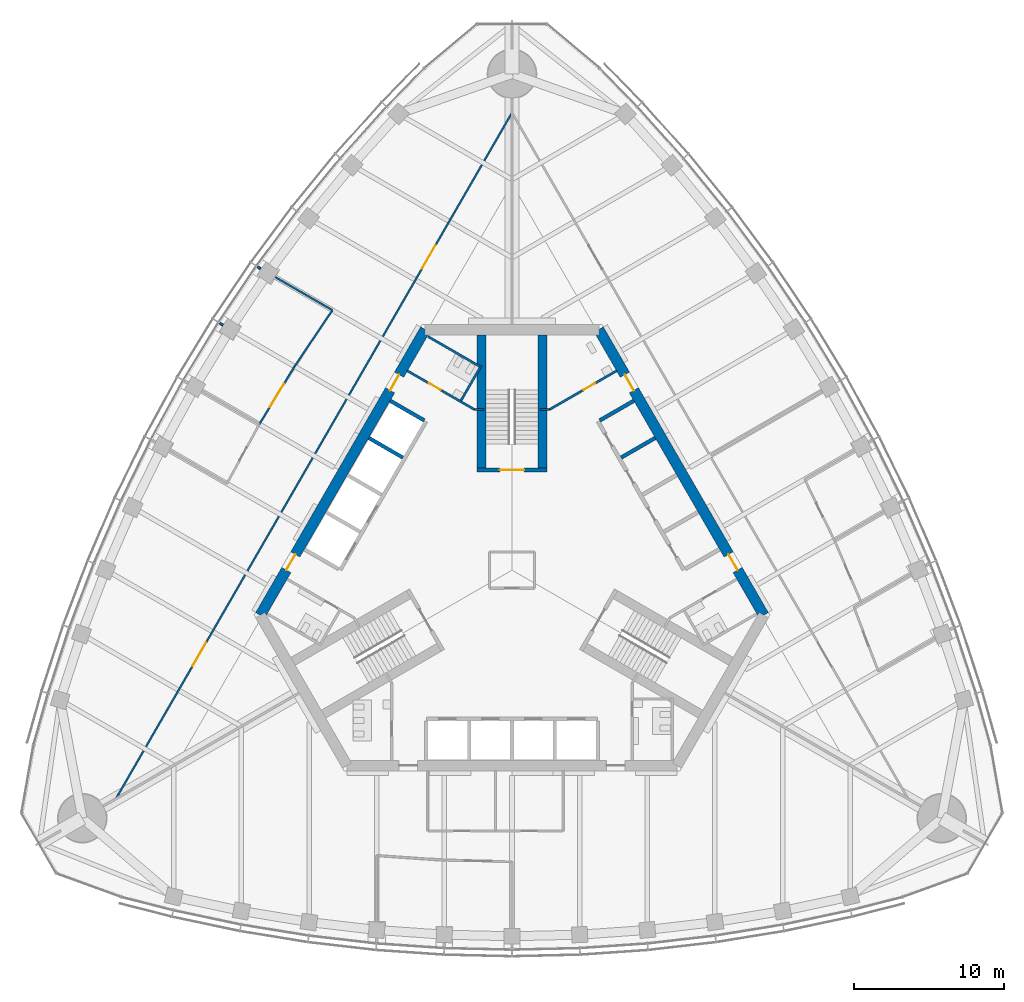
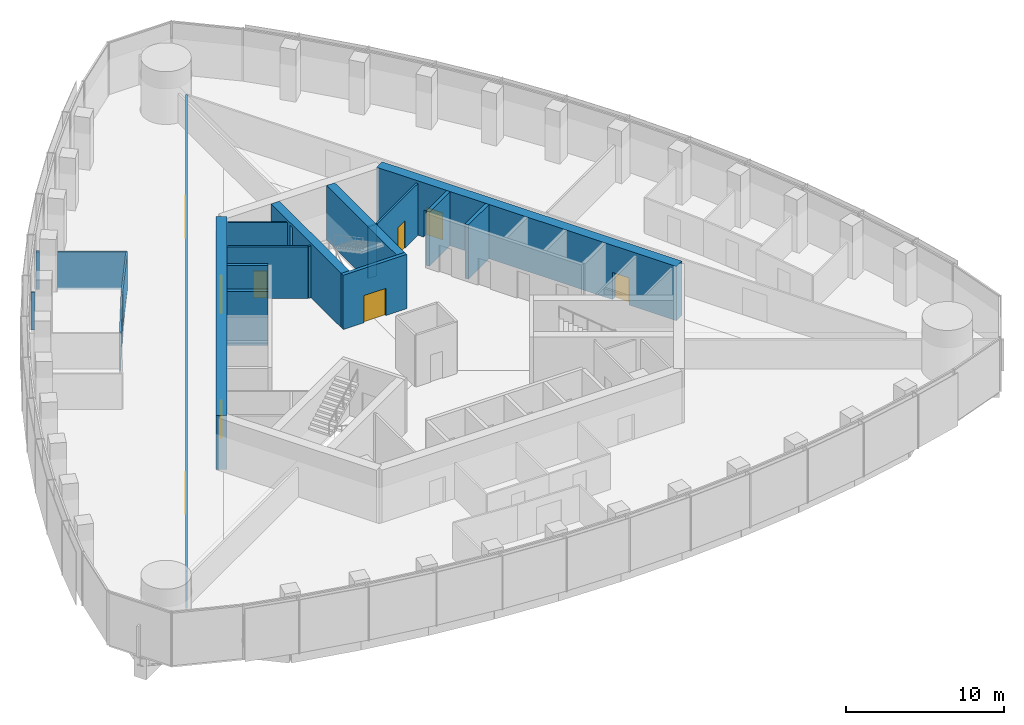
# One storey, part 13 of 19: 21 walls, 10 doors, 10 openings.
"""IFC4 building model written with IfcOpenShell, lengths in metres."""

from ifc_helpers import new_model, si_unit, direction, frame, frame_2d, origin, place, context, subcontext, project, spatial, rectangle, extrude, material, layer, layer_set, type_object, element, fill, save


model = new_model("IFC4")

# Units and contexts
model_context = context("Model", 3, precision=1e-05, world=origin(), true_north=direction((0.0, 1.0)))
body_context = subcontext(model_context, "Body", "Model", "MODEL_VIEW")
ifc_project = project(units=[si_unit("LENGTHUNIT", "METRE"), si_unit("AREAUNIT", "SQUARE_METRE"), si_unit("VOLUMEUNIT", "CUBIC_METRE"), si_unit("PLANEANGLEUNIT", "RADIAN"), si_unit("MASSUNIT", "GRAM", prefix="KILO")], contexts=[model_context])

# Site, building, storey
site_placement = place(None, origin())
site = spatial("IfcSite", under=ifc_project, at=site_placement, CompositionType="ELEMENT")
building_placement = place(site_placement, origin())
building = spatial("IfcBuilding", under=site, at=building_placement, Name="Trefoil Bronze Tower", CompositionType="ELEMENT")
storey_placement = place(building_placement, frame((0.0, 0.0, 240.10009765625)))
storey = spatial("IfcBuildingStorey", under=building, at=storey_placement, Name="L55", CompositionType="ELEMENT", Elevation=240.10009765625)

# Wall, openings, doors
ifc_material_1 = material(Name="Concrete B80", Category="concrete")
ifc_layer_1 = layer(ifc_material_1, 0.699951171875)
ifc_layer_set_1 = layer_set([ifc_layer_1], Name="Core wall 700")
wall_type_1 = type_object("IfcWallType", Name="Core wall 700", PredefinedType="SHEAR", material=ifc_layer_set_1)
wall_1_placement = place(storey_placement, frame((16.7431640625, -3.0, 0.0), z_axis=(0.0, 0.0, 1.0), x_axis=(-0.500002442456, 0.866023993627, 0.0)))
wall_1 = element("IfcWall", 1, at=wall_1_placement, inside=storey, type_object=wall_type_1, Name="Core long wall 2 L55", PredefinedType="SHEAR", context=body_context, shape_type="SweptSolid", body=[
    extrude(rectangle(XDim=21.939453125, YDim=0.699951171875, at=frame_2d((10.9697265625, 0.0))), origin(), (0.0, 0.0, 1.0), 4.199951171875),
])
opening_1_placement = place(wall_1_placement, frame((17.269775390625, 0.0, 0.0)))
opening_1 = element("IfcOpeningElement", 2, at=opening_1_placement, cuts=wall_1, Name="Opening D2", PredefinedType="OPENING", context=body_context, shape_type="SweptSolid", body=[
    extrude(rectangle(XDim=1.199951171875, YDim=2.10009765625, at=frame_2d((0.60009765625, 1.050048828125))), frame((0.0, 0.35986328125, 0.0), z_axis=(0.0, -1.0, 0.0), x_axis=(1.0, 0.0, 0.0)), (0.0, 0.0, 1.0), 0.719970703125),
])
opening_2_placement = place(wall_1_placement, frame((3.4697265625, 0.0, 0.0)))
opening_2 = element("IfcOpeningElement", 3, at=opening_2_placement, cuts=wall_1, Name="Opening D2", PredefinedType="OPENING", context=body_context, shape_type="SweptSolid", body=[
    extrude(rectangle(XDim=1.199951171875, YDim=2.10009765625, at=frame_2d((0.60009765625, 1.050048828125))), frame((0.0, 0.35986328125, 0.0), z_axis=(0.0, -1.0, 0.0), x_axis=(1.0, 0.0, 0.0)), (0.0, 0.0, 1.0), 0.719970703125),
])
ifc_material_2 = material(Name="Steel door", Category="steel")
door_type_1 = type_object("IfcDoorType", Name="Lobby door 1200", OperationType="SINGLE_SWING_RIGHT", PredefinedType="DOOR", material=ifc_material_2)
door_1_placement = place(opening_1_placement, origin())
door_1 = element("IfcDoor", 4, at=door_1_placement, inside=storey, type_object=door_type_1, Name="Lobby door F2+ L55", OperationType="SINGLE_SWING_RIGHT", OverallHeight=2.10009765625, OverallWidth=1.199951171875, PredefinedType="DOOR", context=body_context, shape_type="SweptSolid", body=[
    extrude(rectangle(XDim=1.199951171875, YDim=2.10009765625, at=frame_2d((0.60009765625, 1.050048828125))), frame((0.0, 0.02490234375, 0.0), z_axis=(0.0, -1.0, 0.0), x_axis=(1.0, 0.0, 0.0)), (0.0, 0.0, 1.0), 0.050048828125),
])
fill(opening_1, door_1)
door_2_placement = place(opening_2_placement, origin())
door_2 = element("IfcDoor", 5, at=door_2_placement, inside=storey, type_object=door_type_1, Name="Lobby door F2- L55", OperationType="SINGLE_SWING_LEFT", OverallHeight=2.10009765625, OverallWidth=1.199951171875, PredefinedType="DOOR", context=body_context, shape_type="SweptSolid", body=[
    extrude(rectangle(XDim=1.199951171875, YDim=2.10009765625, at=frame_2d((0.60009765625, 1.050048828125))), frame((0.0, 0.02490234375, 0.0), z_axis=(0.0, -1.0, 0.0), x_axis=(1.0, 0.0, 0.0)), (0.0, 0.0, 1.0), 0.050048828125),
])
fill(opening_2, door_2)

wall_2_placement = place(storey_placement, frame((-5.7734375, 16.0, 0.0), z_axis=(0.0, 0.0, 1.0), x_axis=(-0.500002442456, -0.866023993627, 0.0)))
wall_2 = element("IfcWall", 6, at=wall_2_placement, inside=storey, type_object=wall_type_1, Name="Core long wall 3 L55", PredefinedType="SHEAR", context=body_context, shape_type="SweptSolid", body=[
    extrude(rectangle(XDim=21.939453125, YDim=0.699951171875, at=frame_2d((10.9697265625, 0.0))), origin(), (0.0, 0.0, 1.0), 4.199951171875),
])
opening_3_placement = place(wall_2_placement, frame((17.269775390625, 0.0, 0.0)))
opening_3 = element("IfcOpeningElement", 7, at=opening_3_placement, cuts=wall_2, Name="Opening D2", PredefinedType="OPENING", context=body_context, shape_type="SweptSolid", body=[
    extrude(rectangle(XDim=1.199951171875, YDim=2.10009765625, at=frame_2d((0.60009765625, 1.050048828125))), frame((0.0, 0.35986328125, 0.0), z_axis=(0.0, -1.0, 0.0), x_axis=(1.0, 0.0, 0.0)), (0.0, 0.0, 1.0), 0.719970703125),
])
opening_4_placement = place(wall_2_placement, frame((3.4697265625, 0.0, 0.0)))
opening_4 = element("IfcOpeningElement", 8, at=opening_4_placement, cuts=wall_2, Name="Opening D2", PredefinedType="OPENING", context=body_context, shape_type="SweptSolid", body=[
    extrude(rectangle(XDim=1.199951171875, YDim=2.10009765625, at=frame_2d((0.60009765625, 1.050048828125))), frame((0.0, 0.35986328125, 0.0), z_axis=(0.0, -1.0, 0.0), x_axis=(1.0, 0.0, 0.0)), (0.0, 0.0, 1.0), 0.719970703125),
])
door_3_placement = place(opening_3_placement, origin())
door_3 = element("IfcDoor", 9, at=door_3_placement, inside=storey, type_object=door_type_1, Name="Lobby door F3+ L55", OperationType="SINGLE_SWING_RIGHT", OverallHeight=2.10009765625, OverallWidth=1.199951171875, PredefinedType="DOOR", context=body_context, shape_type="SweptSolid", body=[
    extrude(rectangle(XDim=1.199951171875, YDim=2.10009765625, at=frame_2d((0.60009765625, 1.050048828125))), frame((0.0, 0.02490234375, 0.0), z_axis=(0.0, -1.0, 0.0), x_axis=(1.0, 0.0, 0.0)), (0.0, 0.0, 1.0), 0.050048828125),
])
fill(opening_3, door_3)
door_4_placement = place(opening_4_placement, origin())
door_4 = element("IfcDoor", 10, at=door_4_placement, inside=storey, type_object=door_type_1, Name="Lobby door F3- L55", OperationType="SINGLE_SWING_LEFT", OverallHeight=2.10009765625, OverallWidth=1.199951171875, PredefinedType="DOOR", context=body_context, shape_type="SweptSolid", body=[
    extrude(rectangle(XDim=1.199951171875, YDim=2.10009765625, at=frame_2d((0.60009765625, 1.050048828125))), frame((0.0, 0.02490234375, 0.0), z_axis=(0.0, -1.0, 0.0), x_axis=(1.0, 0.0, 0.0)), (0.0, 0.0, 1.0), 0.050048828125),
])
fill(opening_4, door_4)

ifc_material_3 = material(Name="Glazed partition", Category="glass")
ifc_layer_2 = layer(ifc_material_3, 0.1201171875)
ifc_layer_set_2 = layer_set([ifc_layer_2], Name="Glazed partition 120")
wall_type_2 = type_object("IfcWallType", Name="Glazed partition 120", PredefinedType="PARTITIONING", material=ifc_layer_set_2)
wall_3_placement = place(storey_placement, frame((-0.016357421875, 30.3916015625, 0.0), z_axis=(0.0, 0.0, 1.0), x_axis=(-0.500000626146, -0.866025042278, 0.0)))
wall_3 = element("IfcWall", 11, at=wall_3_placement, inside=storey, type_object=wall_type_2, Name="Partition F3 L55", PredefinedType="PARTITIONING", context=body_context, shape_type="SweptSolid", body=[
    extrude(rectangle(XDim=52.62353515625, YDim=0.1201171875, at=frame_2d((26.311767578125, 0.0))), origin(), (0.0, 0.0, 1.0), 2.89990234375),
])
opening_5_placement = place(wall_3_placement, frame((10.14990234375, 0.0, 0.14990234375)))
opening_5 = element("IfcOpeningElement", 12, at=opening_5_placement, cuts=wall_3, Name="Opening D10", PredefinedType="OPENING", context=body_context, shape_type="SweptSolid", body=[
    extrude(rectangle(XDim=1.800048828125, YDim=2.10009765625, at=frame_2d((0.89990234375, 1.050048828125))), frame((0.0, 0.070068359375, 0.0), z_axis=(0.0, -1.0, 0.0), x_axis=(1.0, 0.0, 0.0)), (0.0, 0.0, 1.0), 0.14013671875),
])
opening_6_placement = place(wall_3_placement, frame((40.64990234375, 0.0, 0.14990234375)))
opening_6 = element("IfcOpeningElement", 13, at=opening_6_placement, cuts=wall_3, Name="Opening D10", PredefinedType="OPENING", context=body_context, shape_type="SweptSolid", body=[
    extrude(rectangle(XDim=1.800048828125, YDim=2.10009765625, at=frame_2d((0.89990234375, 1.050048828125))), frame((0.0, 0.070068359375, 0.0), z_axis=(0.0, -1.0, 0.0), x_axis=(1.0, 0.0, 0.0)), (0.0, 0.0, 1.0), 0.14013671875),
])
ifc_material_4 = material(Name="Timber door", Category="wood")
door_type_2 = type_object("IfcDoorType", Name="Double door 1800", OperationType="DOUBLE_DOOR_SINGLE_SWING", PredefinedType="DOOR", material=ifc_material_4)
door_5_placement = place(opening_5_placement, origin())
door_5 = element("IfcDoor", 14, at=door_5_placement, inside=storey, type_object=door_type_2, Name="Corridor door F3 L55", OperationType="DOUBLE_DOOR_SINGLE_SWING", OverallHeight=2.10009765625, OverallWidth=1.800048828125, PredefinedType="DOOR", context=body_context, shape_type="SweptSolid", body=[
    extrude(rectangle(XDim=1.800048828125, YDim=2.10009765625, at=frame_2d((0.89990234375, 1.050048828125))), frame((0.0, 0.02490234375, 0.0), z_axis=(0.0, -1.0, 0.0), x_axis=(1.0, 0.0, 0.0)), (0.0, 0.0, 1.0), 0.050048828125),
])
fill(opening_5, door_5)
door_6_placement = place(opening_6_placement, origin())
door_6 = element("IfcDoor", 15, at=door_6_placement, inside=storey, type_object=door_type_2, Name="Corridor door F3 L55", OperationType="DOUBLE_DOOR_SINGLE_SWING", OverallHeight=2.10009765625, OverallWidth=1.800048828125, PredefinedType="DOOR", context=body_context, shape_type="SweptSolid", body=[
    extrude(rectangle(XDim=1.800048828125, YDim=2.10009765625, at=frame_2d((0.89990234375, 1.050048828125))), frame((0.0, 0.02490234375, 0.0), z_axis=(0.0, -1.0, 0.0), x_axis=(1.0, 0.0, 0.0)), (0.0, 0.0, 1.0), 0.050048828125),
])
fill(opening_6, door_6)

# Wall, opening, door
wall_4_placement = place(storey_placement, frame((-14.4619140625, 13.545654296875, 0.0), z_axis=(0.0, 0.0, 1.0), x_axis=(-0.519790350351, -0.85429385558, 0.0)))
wall_4 = element("IfcWall", 16, at=wall_4_placement, inside=storey, type_object=wall_type_2, Name="Partition F3 L55", PredefinedType="PARTITIONING", context=body_context, shape_type="SweptSolid", body=[
    extrude(rectangle(XDim=4.5009765625, YDim=0.1201171875, at=frame_2d((2.25048828125, 0.0))), origin(), (0.0, 0.0, 1.0), 2.89990234375),
])
opening_7_placement = place(wall_4_placement, frame((1.35009765625, 0.0, 0.14990234375)))
opening_7 = element("IfcOpeningElement", 17, at=opening_7_placement, cuts=wall_4, Name="Opening D10", PredefinedType="OPENING", context=body_context, shape_type="SweptSolid", body=[
    extrude(rectangle(XDim=1.800048828125, YDim=2.10009765625, at=frame_2d((0.89990234375, 1.050048828125))), frame((0.0, 0.070068359375, 0.0), z_axis=(0.0, -1.0, 0.0), x_axis=(1.0, 0.0, 0.0)), (0.0, 0.0, 1.0), 0.14013671875),
])
door_7_placement = place(opening_7_placement, frame((1.800048828125, 0.0, 0.0), z_axis=(0.0, 0.0, 1.0), x_axis=(-1.0, 0.0, 0.0)))
door_7 = element("IfcDoor", 18, at=door_7_placement, inside=storey, type_object=door_type_2, Name="Prototyping room door F3 L55", OperationType="DOUBLE_DOOR_SINGLE_SWING", OverallHeight=2.10009765625, OverallWidth=1.800048828125, PredefinedType="DOOR", context=body_context, shape_type="SweptSolid", body=[
    extrude(rectangle(XDim=1.800048828125, YDim=2.10009765625, at=frame_2d((0.89990234375, 1.050048828125))), frame((0.0, 0.02490234375, 0.0), z_axis=(0.0, -1.0, 0.0), x_axis=(1.0, 0.0, 0.0)), (0.0, 0.0, 1.0), 0.050048828125),
])
fill(opening_7, door_7)

# Walls
wall_5_placement = place(storey_placement, frame((-11.942626953125, 17.287353515625, 0.0), z_axis=(0.0, 0.0, 1.0), x_axis=(-0.55850386778, -0.829501916619, 0.0)))
element("IfcWall", 19, at=wall_5_placement, inside=storey, type_object=wall_type_2, Name="Partition F3 L55", PredefinedType="PARTITIONING", context=body_context, shape_type="SweptSolid", body=[
    extrude(rectangle(XDim=4.5107421875, YDim=0.1201171875, at=frame_2d((2.25537109375, 0.0))), origin(), (0.0, 0.0, 1.0), 2.89990234375),
])
wall_6_placement = place(storey_placement, frame((-11.942626953125, 17.287353515625, 0.0), z_axis=(0.0, 0.0, 1.0), x_axis=(-0.86600959659, 0.500027377864, 0.0)))
element("IfcWall", 20, at=wall_6_placement, inside=storey, type_object=wall_type_2, Name="Partition F3 L55", PredefinedType="PARTITIONING", context=body_context, shape_type="SweptSolid", body=[
    extrude(rectangle(XDim=4.389404296875, YDim=0.1201171875, at=frame_2d((2.19482421875, 0.0))), origin(), (0.0, 0.0, 1.0), 2.89990234375),
])

# Wall, opening, door
ifc_material_5 = material(Name="Gypsum board on steel studs", Category="steel")
ifc_layer_3 = layer(ifc_material_5, 0.14990234375)
ifc_layer_set_3 = layer_set([ifc_layer_3], Name="Partition 150")
wall_type_3 = type_object("IfcWallType", Name="Partition 150", PredefinedType="PARTITIONING", material=ifc_layer_set_3)
wall_7_placement = place(storey_placement, frame((2.4951171875, 10.67822265625, 0.0), z_axis=(0.0, 0.0, 1.0), x_axis=(0.866037967349, 0.499978238636, 0.0)))
wall_7 = element("IfcWall", 21, at=wall_7_placement, inside=storey, type_object=wall_type_3, Name="Passage wall F2+ L55", PredefinedType="PARTITIONING", context=body_context, shape_type="SweptSolid", body=[
    extrude(rectangle(XDim=5.150146484375, YDim=0.14990234375, at=frame_2d((2.5751953125, 0.0))), origin(), (0.0, 0.0, 1.0), 4.0),
])
opening_8_placement = place(wall_7_placement, frame((2.60009765625, 0.0, 0.0)))
opening_8 = element("IfcOpeningElement", 22, at=opening_8_placement, cuts=wall_7, Name="Opening D3", PredefinedType="OPENING", context=body_context, shape_type="SweptSolid", body=[
    extrude(rectangle(XDim=0.89990234375, YDim=2.10009765625, at=frame_2d((0.449951171875, 1.050048828125))), frame((0.0, 0.0849609375, 0.0), z_axis=(0.0, -1.0, 0.0), x_axis=(1.0, 0.0, 0.0)), (0.0, 0.0, 1.0), 0.169921875),
])
ifc_material_6 = material(Name="Timber door", Category="wood")
door_type_3 = type_object("IfcDoorType", Name="WC door 900", OperationType="SINGLE_SWING_LEFT", PredefinedType="DOOR", material=ifc_material_6)
door_8_placement = place(opening_8_placement, origin())
door_8 = element("IfcDoor", 23, at=door_8_placement, inside=storey, type_object=door_type_3, Name="Accessible WC door L55", OperationType="SINGLE_SWING_RIGHT", OverallHeight=2.10009765625, OverallWidth=0.89990234375, PredefinedType="DOOR", context=body_context, shape_type="SweptSolid", body=[
    extrude(rectangle(XDim=0.89990234375, YDim=2.10009765625, at=frame_2d((0.449951171875, 1.050048828125))), frame((0.0, 0.02490234375, 0.0), z_axis=(0.0, -1.0, 0.0), x_axis=(1.0, 0.0, 0.0)), (0.0, 0.0, 1.0), 0.050048828125),
])
fill(opening_8, door_8)

wall_8_placement = place(storey_placement, frame((-2.4951171875, 10.67822265625, 0.0), z_axis=(0.0, 0.0, 1.0), x_axis=(-0.866037967349, 0.499978238636, 0.0)))
wall_8 = element("IfcWall", 24, at=wall_8_placement, inside=storey, type_object=wall_type_3, Name="Passage wall F3- L55", PredefinedType="PARTITIONING", context=body_context, shape_type="SweptSolid", body=[
    extrude(rectangle(XDim=5.150146484375, YDim=0.14990234375, at=frame_2d((2.5751953125, 0.0))), origin(), (0.0, 0.0, 1.0), 4.0),
])
opening_9_placement = place(wall_8_placement, frame((2.60009765625, 0.0, 0.0)))
opening_9 = element("IfcOpeningElement", 25, at=opening_9_placement, cuts=wall_8, Name="Opening D3", PredefinedType="OPENING", context=body_context, shape_type="SweptSolid", body=[
    extrude(rectangle(XDim=0.89990234375, YDim=2.10009765625, at=frame_2d((0.449951171875, 1.050048828125))), frame((0.0, 0.0849609375, 0.0), z_axis=(0.0, -1.0, 0.0), x_axis=(1.0, 0.0, 0.0)), (0.0, 0.0, 1.0), 0.169921875),
])
door_9_placement = place(opening_9_placement, frame((0.89990234375, 0.0, 0.0), z_axis=(0.0, 0.0, 1.0), x_axis=(-1.0, 0.0, 0.0)))
door_9 = element("IfcDoor", 26, at=door_9_placement, inside=storey, type_object=door_type_3, Name="WC (women) door L55", OperationType="SINGLE_SWING_RIGHT", OverallHeight=2.10009765625, OverallWidth=0.89990234375, PredefinedType="DOOR", context=body_context, shape_type="SweptSolid", body=[
    extrude(rectangle(XDim=0.89990234375, YDim=2.10009765625, at=frame_2d((0.449951171875, 1.050048828125))), frame((0.0, 0.02490234375, 0.0), z_axis=(0.0, -1.0, 0.0), x_axis=(1.0, 0.0, 0.0)), (0.0, 0.0, 1.0), 0.050048828125),
])
fill(opening_9, door_9)

# Walls
for number, where, z_axis, x_axis, name in (
    (27, (2.4951171875, 10.67822265625, 0.0), (0.0, 0.0, 1.0), (-1.0, 0.0, 0.0), "WC wall ST2-1 L55"),
    (28, (-2.4951171875, 10.67822265625, 0.0), (0.0, 0.0, 1.0), (1.0, 0.0, 0.0), "WC wall ST2+1 L55"),
):
    element("IfcWall", number, at=place(storey_placement, frame(where, z_axis=z_axis, x_axis=x_axis)), inside=storey, type_object=wall_type_3, Name=name, PredefinedType="PARTITIONING", context=body_context, shape_type="SweptSolid", body=[
        extrude(rectangle(XDim=0.64501953125, YDim=0.14990234375, at=frame_2d((0.322509765625, 0.0))), origin(), (0.0, 0.0, 1.0), 4.0),
    ])
wall_9_placement = place(storey_placement, frame((-2.03125, 13.48193359375, 0.0), z_axis=(0.0, 0.0, 1.0), x_axis=(-0.866050731258, 0.499956128963, 0.0)))
element("IfcWall", 29, at=wall_9_placement, inside=storey, type_object=wall_type_3, Name="WC partition WC (women) L55", PredefinedType="PARTITIONING", context=body_context, shape_type="SweptSolid", body=[
    extrude(rectangle(XDim=4.099853515625, YDim=0.14990234375, at=frame_2d((2.0498046875, 0.0))), origin(), (0.0, 0.0, 1.0), 4.0),
])
wall_10_placement = place(storey_placement, frame((-3.388671875, 11.28076171875, 0.0), z_axis=(0.0, 0.0, 1.0), x_axis=(0.499989096993, 0.866031698547, 0.0)))
element("IfcWall", 30, at=wall_10_placement, inside=storey, type_object=wall_type_3, Name="WC partition WC (women) L55", PredefinedType="PARTITIONING", context=body_context, shape_type="SweptSolid", body=[
    extrude(rectangle(XDim=2.509765625, YDim=0.14990234375, at=frame_2d((1.2548828125, 0.0))), origin(), (0.0, 0.0, 1.0), 4.0),
])
wall_11_placement = place(storey_placement, frame((-19.2265625, 16.296630859375, 0.0), z_axis=(0.0, 0.0, 1.0), x_axis=(-0.866135455726, 0.499809335981, 0.0)))
element("IfcWall", 31, at=wall_11_placement, inside=storey, type_object=wall_type_3, Name="Partition F3 L55", PredefinedType="PARTITIONING", context=body_context, shape_type="SweptSolid", body=[
    extrude(rectangle(XDim=0.2431640625, YDim=0.14990234375, at=frame_2d((0.12158203125, 0.0))), origin(), (0.0, 0.0, 1.0), 2.89990234375),
])
wall_12_placement = place(storey_placement, frame((-16.724609375, 20.04833984375, 0.0), z_axis=(0.0, 0.0, 1.0), x_axis=(-0.866149170119, 0.499785569122, 0.0)))
element("IfcWall", 32, at=wall_12_placement, inside=storey, type_object=wall_type_3, Name="Partition F3 L55", PredefinedType="PARTITIONING", context=body_context, shape_type="SweptSolid", body=[
    extrude(rectangle(XDim=0.22314453125, YDim=0.14990234375, at=frame_2d((0.111572265625, 0.0))), origin(), (0.0, 0.0, 1.0), 2.89990234375),
])
ifc_material_7 = material(Name="Concrete B80", Category="concrete")
ifc_layer_4 = layer(ifc_material_7, 0.25)
ifc_layer_set_4 = layer_set([ifc_layer_4], Name="Shaft wall 250")
wall_type_4 = type_object("IfcWallType", Name="Shaft wall 250", PredefinedType="SHEAR", material=ifc_layer_set_4)
for number, where, z_axis, x_axis, name in (
    (33, (7.2568359375, 7.480712890625, 0.0), (0.0, 0.0, 1.0), (0.866036909293, 0.499980071345, 0.0), "Lift shaft side wall B3 L55"),
    (34, (5.831787109375, 9.94873046875, 0.0), (0.0, 0.0, 1.0), (0.866036909293, 0.499980071345, 0.0), "Lift shaft side wall B4 L55"),
    (35, (-5.831787109375, 9.94873046875, 0.0), (0.0, 0.0, 1.0), (-0.866036909293, 0.499980071345, 0.0), "Lift shaft side wall C0 L55"),
    (36, (-7.2568359375, 7.480712890625, 0.0), (0.0, 0.0, 1.0), (-0.866036909293, 0.499980071345, 0.0), "Lift shaft side wall C1 L55"),
):
    element("IfcWall", number, at=place(storey_placement, frame(where, z_axis=z_axis, x_axis=x_axis)), inside=storey, type_object=wall_type_4, Name=name, PredefinedType="SHEAR", context=body_context, shape_type="SweptSolid", body=[
        extrude(rectangle(XDim=2.625, YDim=0.25, at=frame_2d((1.3125, 0.0))), origin(), (0.0, 0.0, 1.0), 4.199951171875),
    ])

# Wall, opening, door
wall_13_placement = place(storey_placement, frame((2.324951171875, 6.64990234375, 0.0), z_axis=(0.0, 0.0, 1.0), x_axis=(-1.0, 0.0, 0.0)))
wall_13 = element("IfcWall", 37, at=wall_13_placement, inside=storey, type_object=wall_type_4, Name="Stair end wall ST2 L55", PredefinedType="SHEAR", context=body_context, shape_type="SweptSolid", body=[
    extrude(rectangle(XDim=4.64990234375, YDim=0.25, at=frame_2d((2.324951171875, 0.0))), origin(), (0.0, 0.0, 1.0), 4.199951171875),
])
opening_10_placement = place(wall_13_placement, frame((1.52490234375, 0.0, 0.0)))
opening_10 = element("IfcOpeningElement", 38, at=opening_10_placement, cuts=wall_13, Name="Opening D1", PredefinedType="OPENING", context=body_context, shape_type="SweptSolid", body=[
    extrude(rectangle(XDim=1.60009765625, YDim=2.10009765625, at=frame_2d((0.800048828125, 1.050048828125))), frame((0.0, 0.135009765625, 0.0), z_axis=(0.0, -1.0, 0.0), x_axis=(1.0, 0.0, 0.0)), (0.0, 0.0, 1.0), 0.27001953125),
])
ifc_material_8 = material(Name="Steel door", Category="steel")
door_type_4 = type_object("IfcDoorType", Name="Stair door 1600", OperationType="DOUBLE_DOOR_SINGLE_SWING", PredefinedType="DOOR", material=ifc_material_8)
door_10_placement = place(opening_10_placement, frame((1.60009765625, 0.0, 0.0), z_axis=(0.0, 0.0, 1.0), x_axis=(-1.0, 0.0, 0.0)))
door_10 = element("IfcDoor", 39, at=door_10_placement, inside=storey, type_object=door_type_4, Name="Stair door ST2 L55", OperationType="DOUBLE_DOOR_SINGLE_SWING", OverallHeight=2.10009765625, OverallWidth=1.60009765625, PredefinedType="DOOR", context=body_context, shape_type="SweptSolid", body=[
    extrude(rectangle(XDim=1.60009765625, YDim=2.10009765625, at=frame_2d((0.800048828125, 1.050048828125))), frame((0.0, 0.02490234375, 0.0), z_axis=(0.0, -1.0, 0.0), x_axis=(1.0, 0.0, 0.0)), (0.0, 0.0, 1.0), 0.050048828125),
])
fill(opening_10, door_10)

# Walls
ifc_material_9 = material(Name="Concrete B80", Category="concrete")
ifc_layer_5 = layer(ifc_material_9, 0.60009765625)
ifc_layer_set_5 = layer_set([ifc_layer_5], Name="Stair wall 600")
wall_type_5 = type_object("IfcWallType", Name="Stair wall 600", PredefinedType="SHEAR", material=ifc_layer_set_5)
for number, where, z_axis, x_axis, name in (
    (40, (2.02490234375, 6.52490234375, 0.0), (0.0, 0.0, 1.0), (0.0, 1.0, 0.0), "Stair wall ST2 L55"),
    (41, (-2.02490234375, 6.52490234375, 0.0), (0.0, 0.0, 1.0), (0.0, 1.0, 0.0), "Stair wall ST2 L55"),
):
    element("IfcWall", number, at=place(storey_placement, frame(where, z_axis=z_axis, x_axis=x_axis)), inside=storey, type_object=wall_type_5, Name=name, PredefinedType="SHEAR", context=body_context, shape_type="SweptSolid", body=[
        extrude(rectangle(XDim=9.125, YDim=0.60009765625, at=frame_2d((4.5625, 0.0))), origin(), (0.0, 0.0, 1.0), 4.199951171875),
    ])

save(model, "model.ifc")
